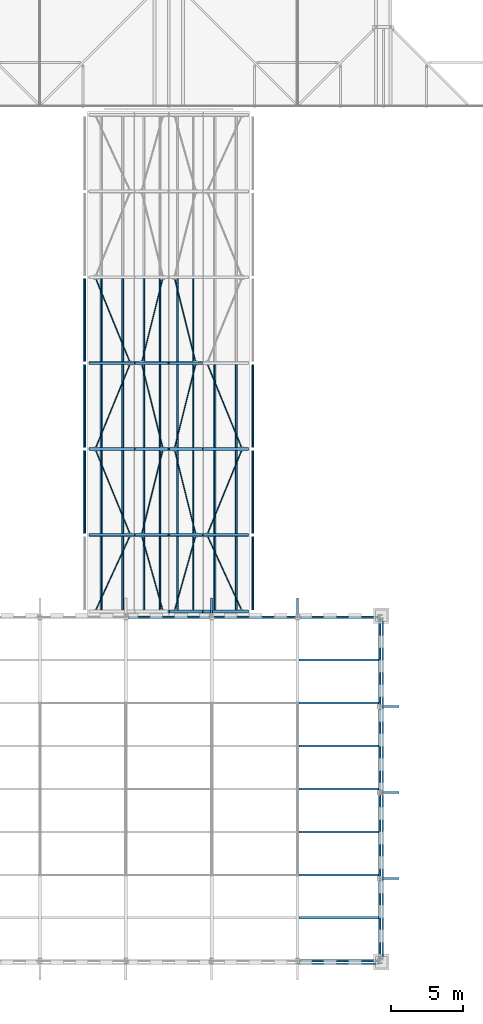
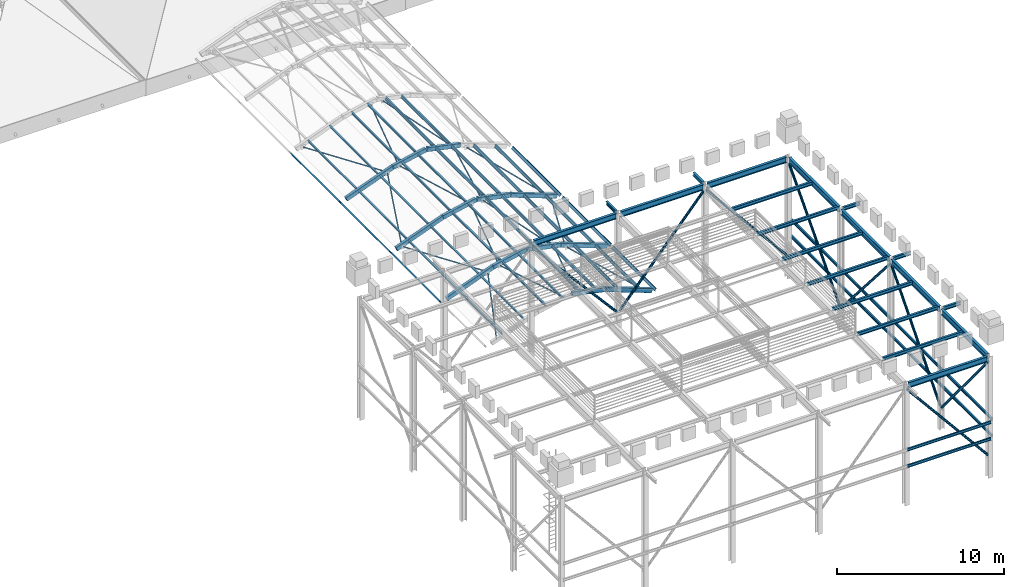
# One storey, part 19 of 57: 59 members, 43 beams.
"""IFC4 building model written with IfcOpenShell, lengths in metres."""

from ifc_helpers import new_model, si_unit, direction, frame, origin, origin_2d, place, context, subcontext, project, spatial, hollow_rectangle, hollow_circle, i_section, extrude, material, material_profile, profile_set, type_object, element, save


model = new_model("IFC4")

# Units and contexts
model_context = context("Model", 3, precision=1e-05, world=origin(), true_north=direction((0.0, 1.0)))
body_context = subcontext(model_context, "Body", "Model", "MODEL_VIEW")
ifc_project = project(units=[si_unit("LENGTHUNIT", "METRE"), si_unit("AREAUNIT", "SQUARE_METRE"), si_unit("VOLUMEUNIT", "CUBIC_METRE"), si_unit("PLANEANGLEUNIT", "RADIAN"), si_unit("MASSUNIT", "GRAM", prefix="KILO")], contexts=[model_context])

# Site, building, storey
site_placement = place(None, origin())
site = spatial("IfcSite", under=ifc_project, at=site_placement, CompositionType="ELEMENT")
building_placement = place(site_placement, origin())
building = spatial("IfcBuilding", under=site, at=building_placement, Name="Saffron Lane Theatres", CompositionType="ELEMENT")
storey_placement = place(building_placement, frame((0.0, 0.0, 28.0)))
storey = spatial("IfcBuildingStorey", under=building, at=storey_placement, Name="Upper Roof", CompositionType="ELEMENT", Elevation=28.0)

# Beams
ifc_material_1 = material(Name="Steel Grade 350", Category="steel")
ifc_material_profile_1 = material_profile(ifc_material_1, i_section(OverallWidth=0.177978515625, OverallDepth=0.406005859375, WebThickness=0.0078125, FlangeThickness=0.0126953125, FilletRadius=0.010986328125, at=origin_2d()))
ifc_profile_set_1 = profile_set([ifc_material_profile_1], Name="Steel Grade 350")
beam_type_1 = type_object("IfcBeamType", Name="ST-ROOF GIRDER 410UB59.7", PredefinedType="BEAM", material=ifc_profile_set_1)
beam_1_placement = place(storey_placement, frame((42.155517578125, 30.25, 8.64697265625), z_axis=(1.0, 0.0, 0.0), x_axis=(0.0, 1.0, 0.0)))
element("IfcBeam", 1, at=beam_1_placement, inside=storey, type_object=beam_type_1, Name="TR5", PredefinedType="BEAM", context=body_context, shape_type="SweptSolid", body=[
    extrude(i_section(OverallWidth=0.177978515625, OverallDepth=0.406005859375, WebThickness=0.0078125, FlangeThickness=0.0126953125, FilletRadius=0.010986328125, at=origin_2d()), origin(), (0.0, 0.0, 1.0), 5.43896484375),
])
for number, where, z_axis, x_axis, name in (
    (2, (30.155517578125, 54.25, 8.64697265625), (1.0, 0.0, 0.0), (0.0, 1.0, 0.0), "TR8"),
    (3, (36.155517578125, 54.25, 8.64697265625), (1.0, 0.0, 0.0), (0.0, 1.0, 0.0), "TR9"),
):
    element("IfcBeam", number, at=place(storey_placement, frame(where, z_axis=z_axis, x_axis=x_axis)), inside=storey, type_object=beam_type_1, Name=name, PredefinedType="BEAM", context=body_context, shape_type="SweptSolid", body=[
        extrude(i_section(OverallWidth=0.177978515625, OverallDepth=0.406005859375, WebThickness=0.0078125, FlangeThickness=0.0126953125, FilletRadius=0.010986328125, at=origin_2d()), origin(), (0.0, 0.0, 1.0), 5.68896484375),
    ])
beam_2_placement = place(storey_placement, frame((42.155517578125, 54.25, 8.64697265625), z_axis=(1.0, 0.0, 0.0), x_axis=(0.0, 1.0, 0.0)))
element("IfcBeam", 4, at=beam_2_placement, inside=storey, type_object=beam_type_1, Name="TR10", PredefinedType="BEAM", context=body_context, shape_type="SweptSolid", body=[
    extrude(i_section(OverallWidth=0.177978515625, OverallDepth=0.406005859375, WebThickness=0.0078125, FlangeThickness=0.0126953125, FilletRadius=0.010986328125, at=origin_2d()), origin(), (0.0, 0.0, 1.0), 5.43896484375),
])
beam_3_placement = place(storey_placement, frame((47.75, 30.41357421875, 8.64697265625), z_axis=(0.0, 1.0, 0.0), x_axis=(-1.0, 0.0, 0.0)))
element("IfcBeam", 5, at=beam_3_placement, inside=storey, type_object=beam_type_1, Name="TR15", PredefinedType="BEAM", context=body_context, shape_type="SweptSolid", body=[
    extrude(i_section(OverallWidth=0.177978515625, OverallDepth=0.406005859375, WebThickness=0.0078125, FlangeThickness=0.0126953125, FilletRadius=0.010986328125, at=origin_2d()), origin(), (0.0, 0.0, 1.0), 5.430908203125),
])
for number, where, z_axis, x_axis, name in (
    (6, (47.75, 36.155517578125, 8.64697265625), (0.0, 1.0, 0.0), (-1.0, 0.0, 0.0), "TR16"),
    (7, (47.75, 42.155517578125, 8.64697265625), (0.0, 1.0, 0.0), (-1.0, 0.0, 0.0), "TR17"),
):
    element("IfcBeam", number, at=place(storey_placement, frame(where, z_axis=z_axis, x_axis=x_axis)), inside=storey, type_object=beam_type_1, Name=name, PredefinedType="BEAM", context=body_context, shape_type="SweptSolid", body=[
        extrude(i_section(OverallWidth=0.177978515625, OverallDepth=0.406005859375, WebThickness=0.0078125, FlangeThickness=0.0126953125, FilletRadius=0.010986328125, at=origin_2d()), origin(), (0.0, 0.0, 1.0), 5.68896484375),
    ])
beam_4_placement = place(storey_placement, frame((47.75, 48.155517578125, 8.64697265625), z_axis=(0.0, 1.0, 0.0), x_axis=(-1.0, 0.0, 0.0)))
element("IfcBeam", 8, at=beam_4_placement, inside=storey, type_object=beam_type_1, Name="TR18", PredefinedType="BEAM", context=body_context, shape_type="SweptSolid", body=[
    extrude(i_section(OverallWidth=0.177978515625, OverallDepth=0.406005859375, WebThickness=0.0078125, FlangeThickness=0.0126953125, FilletRadius=0.010986328125, at=origin_2d()), origin(), (0.0, 0.0, 1.0), 5.930908203125),
])
ifc_material_2 = material(Name="Steel Grade 350", Category="steel")
ifc_material_profile_2 = material_profile(ifc_material_2, i_section(OverallWidth=0.14599609375, OverallDepth=0.251953125, WebThickness=0.006103515625, FlangeThickness=0.008544921875, FilletRadius=0.011962890625, at=origin_2d()))
ifc_profile_set_2 = profile_set([ifc_material_profile_2], Name="Steel Grade 350")
beam_type_2 = type_object("IfcBeamType", Name="ST-ROOF JOIST 250UB31.4", PredefinedType="JOIST", material=ifc_profile_set_2)
for number, where, z_axis, x_axis, name in (
    (9, (42.114013671875, 33.25, 8.72412109375), (1.0, 0.0, 0.0), (0.0, 1.0, 0.0), "TT5"),
    (10, (42.114013671875, 36.25, 8.72412109375), (1.0, 0.0, 0.0), (0.0, 1.0, 0.0), "TT10"),
    (11, (42.114013671875, 39.25, 8.72412109375), (1.0, 0.0, 0.0), (0.0, 1.0, 0.0), "TT15"),
    (12, (42.114013671875, 42.25, 8.72412109375), (1.0, 0.0, 0.0), (0.0, 1.0, 0.0), "TT20"),
    (13, (42.114013671875, 45.25, 8.72412109375), (1.0, 0.0, 0.0), (0.0, 1.0, 0.0), "TT25"),
    (14, (42.114013671875, 48.25, 8.72412109375), (1.0, 0.0, 0.0), (0.0, 1.0, 0.0), "TT30"),
    (15, (42.114013671875, 51.25, 8.72412109375), (1.0, 0.0, 0.0), (0.0, 1.0, 0.0), "TT35"),
):
    element("IfcBeam", number, at=place(storey_placement, frame(where, z_axis=z_axis, x_axis=x_axis)), inside=storey, type_object=beam_type_2, Name=name, PredefinedType="JOIST", context=body_context, shape_type="SweptSolid", body=[
        extrude(i_section(OverallWidth=0.14599609375, OverallDepth=0.251953125, WebThickness=0.006103515625, FlangeThickness=0.008544921875, FilletRadius=0.011962890625, at=origin_2d()), origin(), (0.0, 0.0, 1.0), 5.546875),
    ])
for number, where, z_axis, x_axis, name in (
    (16, (36.0, 54.41357421875, 8.72412109375), (0.0, 1.0, 0.0), (-1.0, 0.0, 0.0), "TE6"),
    (17, (42.0, 54.41357421875, 8.72412109375), (0.0, 1.0, 0.0), (-1.0, 0.0, 0.0), "TE8"),
    (18, (47.91357421875, 36.0, 8.72412109375), (1.0, 0.0, 0.0), (0.0, 1.0, 0.0), "TE10"),
    (19, (47.91357421875, 42.0, 8.72412109375), (1.0, 0.0, 0.0), (0.0, 1.0, 0.0), "TE12"),
    (20, (47.91357421875, 48.0, 8.72412109375), (1.0, 0.0, 0.0), (0.0, 1.0, 0.0), "TE14"),
):
    element("IfcBeam", number, at=place(storey_placement, frame(where, z_axis=z_axis, x_axis=x_axis)), inside=storey, type_object=beam_type_2, Name=name, PredefinedType="JOIST", context=body_context, shape_type="SweptSolid", body=[
        extrude(i_section(OverallWidth=0.14599609375, OverallDepth=0.251953125, WebThickness=0.006103515625, FlangeThickness=0.008544921875, FilletRadius=0.011962890625, at=origin_2d()), origin(), (0.0, 0.0, 1.0), 1.1865234375),
    ])

# Members
ifc_material_3 = material(Name="Steel Grade 350", Category="steel")
ifc_material_profile_3 = material_profile(ifc_material_3, hollow_circle(Radius=0.084228515625, WallThickness=0.00634765625, at=origin_2d()))
ifc_profile_set_3 = profile_set([ifc_material_profile_3], Name="Steel Grade 350")
member_type_1 = type_object("IfcMemberType", Name="ST-TOWER BRACE HI 168.3x6.4 CHS", PredefinedType="BRACE", material=ifc_profile_set_3)
member_1_placement = place(storey_placement, frame((47.6572265625, 30.25, 1.61181640625), z_axis=(-0.637764692464, 0.0, 0.770231262055), x_axis=(0.0, -1.0, 0.0)))
element("IfcMember", 21, at=member_1_placement, inside=storey, type_object=member_type_1, Name="TB10", PredefinedType="BRACE", context=body_context, shape_type="SweptSolid", body=[
    extrude(hollow_circle(Radius=0.084228515625, WallThickness=0.00634765625, at=origin_2d()), origin(), (0.0, 0.0, 1.0), 8.724853515625),
])
for number, where, z_axis, x_axis, name in (
    (22, (35.908447265625, 54.25, 1.60595703125), (-0.653796315822, 0.0, 0.756670587123), (0.0, -1.0, 0.0), "TB16"),
    (23, (36.091552734375, 54.25, 1.60595703125), (0.653796315822, 0.0, 0.756670587123), (0.0, 1.0, 0.0), "TB18"),
):
    element("IfcMember", number, at=place(storey_placement, frame(where, z_axis=z_axis, x_axis=x_axis)), inside=storey, type_object=member_type_1, Name=name, PredefinedType="BRACE", context=body_context, shape_type="SweptSolid", body=[
        extrude(hollow_circle(Radius=0.084228515625, WallThickness=0.00634765625, at=origin_2d()), origin(), (0.0, 0.0, 1.0), 8.897216796875),
    ])
for number, where, z_axis, x_axis, name in (
    (24, (47.6572265625, 54.25, 1.61181640625), (-0.637764692464, 0.0, 0.770231262055), (0.0, -1.0, 0.0), "TB20"),
    (25, (47.75, 35.9072265625, 1.61181640625), (0.0, -0.637764692464, 0.770231262055), (1.0, 0.0, 0.0), "TB30"),
):
    element("IfcMember", number, at=place(storey_placement, frame(where, z_axis=z_axis, x_axis=x_axis)), inside=storey, type_object=member_type_1, Name=name, PredefinedType="BRACE", context=body_context, shape_type="SweptSolid", body=[
        extrude(hollow_circle(Radius=0.084228515625, WallThickness=0.00634765625, at=origin_2d()), origin(), (0.0, 0.0, 1.0), 8.724853515625),
    ])
for number, where, z_axis, x_axis, name in (
    (26, (47.75, 36.091552734375, 1.60595703125), (0.0, 0.653796315822, 0.756670587123), (-1.0, 0.0, 0.0), "TB32"),
    (27, (47.75, 47.908447265625, 1.60595703125), (0.0, -0.653796315822, 0.756670587123), (1.0, 0.0, 0.0), "TB34"),
):
    element("IfcMember", number, at=place(storey_placement, frame(where, z_axis=z_axis, x_axis=x_axis)), inside=storey, type_object=member_type_1, Name=name, PredefinedType="BRACE", context=body_context, shape_type="SweptSolid", body=[
        extrude(hollow_circle(Radius=0.084228515625, WallThickness=0.00634765625, at=origin_2d()), origin(), (0.0, 0.0, 1.0), 8.897216796875),
    ])
member_2_placement = place(storey_placement, frame((47.75, 48.09033203125, 1.600341796875), z_axis=(0.0, 0.668994466421, 0.743267383852), x_axis=(-1.0, 0.0, 0.0)))
element("IfcMember", 28, at=member_2_placement, inside=storey, type_object=member_type_1, Name="TB36", PredefinedType="BRACE", context=body_context, shape_type="SweptSolid", body=[
    extrude(hollow_circle(Radius=0.084228515625, WallThickness=0.00634765625, at=origin_2d()), origin(), (0.0, 0.0, 1.0), 9.072265625),
])

# Beams
ifc_material_4 = material(Name="Steel Grade 350", Category="steel")
ifc_material_profile_4 = material_profile(ifc_material_4, i_section(OverallWidth=0.09912109375, OverallDepth=0.197998046875, WebThickness=0.00439453125, FlangeThickness=0.007080078125, FilletRadius=0.010986328125, at=origin_2d()))
ifc_profile_set_4 = profile_set([ifc_material_profile_4], Name="Steel Grade 350")
beam_type_3 = type_object("IfcBeamType", Name="ST-TOWER GIRT 200UB18.2", PredefinedType="BEAM", material=ifc_profile_set_4)
for number, where, z_axis, x_axis, name in (
    (29, (42.0, 30.037109375, 2.90087890625), (1.0, 0.0, 0.0), (0.0, 1.0, 0.0), "TX20"),
    (30, (42.0, 30.037109375, 4.10107421875), (1.0, 0.0, 0.0), (0.0, 1.0, 0.0), "TX25"),
    (31, (47.962890625, 30.25, 2.90087890625), (0.0, 1.0, 0.0), (-1.0, 0.0, 0.0), "TX58"),
):
    element("IfcBeam", number, at=place(storey_placement, frame(where, z_axis=z_axis, x_axis=x_axis)), inside=storey, type_object=beam_type_3, Name=name, PredefinedType="BEAM", context=body_context, shape_type="SweptSolid", body=[
        extrude(i_section(OverallWidth=0.09912109375, OverallDepth=0.197998046875, WebThickness=0.00439453125, FlangeThickness=0.007080078125, FilletRadius=0.010986328125, at=origin_2d()), origin(), (0.0, 0.0, 1.0), 5.75),
    ])
for number, where, z_axis, x_axis, name in (
    (32, (47.962890625, 36.0, 2.90087890625), (0.0, 1.0, 0.0), (-1.0, 0.0, 0.0), "TX59"),
    (33, (47.962890625, 42.0, 2.90087890625), (0.0, 1.0, 0.0), (-1.0, 0.0, 0.0), "TX60"),
):
    element("IfcBeam", number, at=place(storey_placement, frame(where, z_axis=z_axis, x_axis=x_axis)), inside=storey, type_object=beam_type_3, Name=name, PredefinedType="BEAM", context=body_context, shape_type="SweptSolid", body=[
        extrude(i_section(OverallWidth=0.09912109375, OverallDepth=0.197998046875, WebThickness=0.00439453125, FlangeThickness=0.007080078125, FilletRadius=0.010986328125, at=origin_2d()), origin(), (0.0, 0.0, 1.0), 6.0),
    ])
beam_5_placement = place(storey_placement, frame((47.962890625, 48.0, 2.90087890625), z_axis=(0.0, 1.0, 0.0), x_axis=(-1.0, 0.0, 0.0)))
element("IfcBeam", 34, at=beam_5_placement, inside=storey, type_object=beam_type_3, Name="TX61", PredefinedType="BEAM", context=body_context, shape_type="SweptSolid", body=[
    extrude(i_section(OverallWidth=0.09912109375, OverallDepth=0.197998046875, WebThickness=0.00439453125, FlangeThickness=0.007080078125, FilletRadius=0.010986328125, at=origin_2d()), origin(), (0.0, 0.0, 1.0), 6.25),
])
beam_6_placement = place(storey_placement, frame((47.962890625, 30.25, 4.10107421875), z_axis=(0.0, 1.0, 0.0), x_axis=(-1.0, 0.0, 0.0)))
element("IfcBeam", 35, at=beam_6_placement, inside=storey, type_object=beam_type_3, Name="TX62", PredefinedType="BEAM", context=body_context, shape_type="SweptSolid", body=[
    extrude(i_section(OverallWidth=0.09912109375, OverallDepth=0.197998046875, WebThickness=0.00439453125, FlangeThickness=0.007080078125, FilletRadius=0.010986328125, at=origin_2d()), origin(), (0.0, 0.0, 1.0), 5.75),
])
for number, where, z_axis, x_axis, name in (
    (36, (47.962890625, 36.0, 4.10107421875), (0.0, 1.0, 0.0), (-1.0, 0.0, 0.0), "TX63"),
    (37, (47.962890625, 42.0, 4.10107421875), (0.0, 1.0, 0.0), (-1.0, 0.0, 0.0), "TX64"),
):
    element("IfcBeam", number, at=place(storey_placement, frame(where, z_axis=z_axis, x_axis=x_axis)), inside=storey, type_object=beam_type_3, Name=name, PredefinedType="BEAM", context=body_context, shape_type="SweptSolid", body=[
        extrude(i_section(OverallWidth=0.09912109375, OverallDepth=0.197998046875, WebThickness=0.00439453125, FlangeThickness=0.007080078125, FilletRadius=0.010986328125, at=origin_2d()), origin(), (0.0, 0.0, 1.0), 6.0),
    ])
beam_7_placement = place(storey_placement, frame((47.962890625, 48.0, 4.10107421875), z_axis=(0.0, 1.0, 0.0), x_axis=(-1.0, 0.0, 0.0)))
element("IfcBeam", 38, at=beam_7_placement, inside=storey, type_object=beam_type_3, Name="TX65", PredefinedType="BEAM", context=body_context, shape_type="SweptSolid", body=[
    extrude(i_section(OverallWidth=0.09912109375, OverallDepth=0.197998046875, WebThickness=0.00439453125, FlangeThickness=0.007080078125, FilletRadius=0.010986328125, at=origin_2d()), origin(), (0.0, 0.0, 1.0), 6.25),
])

# Members
ifc_material_5 = material(Name="Steel Grade 350", Category="steel")
ifc_material_profile_5 = material_profile(ifc_material_5, hollow_circle(Radius=0.04443359375, WallThickness=0.005859375, at=origin_2d()))
ifc_profile_set_5 = profile_set([ifc_material_profile_5], Name="Steel Grade 350")
member_type_2 = type_object("IfcMemberType", Name="ST-VAULT BRACE 88.9x5.9 CHS", PredefinedType="BRACE", material=ifc_profile_set_5)
member_3_placement = place(storey_placement, frame((27.92041015625, 54.779541015625, 2.0986328125), z_axis=(0.413401929788, 0.89738257755, 0.154283356058), x_axis=(-0.908257469042, 0.418411722982, 0.0)))
element("IfcMember", 39, at=member_3_placement, inside=storey, type_object=member_type_2, Name="VB3", PredefinedType="BRACE", context=body_context, shape_type="SweptSolid", body=[
    extrude(hollow_circle(Radius=0.04443359375, WallThickness=0.005859375, at=origin_2d()), origin(), (0.0, 0.0, 1.0), 5.6728515625),
])
for number, where, z_axis, x_axis, name in (
    (40, (31.13330078125, 59.877685546875, 3.227783203125), (0.271245751069, -0.960753920454, 0.058117526271), (0.962380586073, 0.271705000965, 0.0), "VB4"),
    (41, (33.42529296875, 54.772216796875, 3.53662109375), (0.271245751069, 0.960753920454, -0.058117526271), (-0.962380586073, 0.271705000965, 0.0), "VB5"),
):
    element("IfcMember", number, at=place(storey_placement, frame(where, z_axis=z_axis, x_axis=x_axis)), inside=storey, type_object=member_type_2, Name=name, PredefinedType="BRACE", context=body_context, shape_type="SweptSolid", body=[
        extrude(hollow_circle(Radius=0.04443359375, WallThickness=0.005859375, at=origin_2d()), origin(), (0.0, 0.0, 1.0), 5.31396484375),
    ])
member_4_placement = place(storey_placement, frame((35.734375, 59.870361328125, 2.973876953125), z_axis=(0.413401929788, -0.89738257755, -0.154283356058), x_axis=(0.908257469042, 0.418411722982, 0.0)))
element("IfcMember", 42, at=member_4_placement, inside=storey, type_object=member_type_2, Name="VB6", PredefinedType="BRACE", context=body_context, shape_type="SweptSolid", body=[
    extrude(hollow_circle(Radius=0.04443359375, WallThickness=0.005859375, at=origin_2d()), origin(), (0.0, 0.0, 1.0), 5.6728515625),
])
member_5_placement = place(storey_placement, frame((27.918212890625, 65.872314453125, 2.097900390625), z_axis=(0.374845275862, -0.916470214155, 0.139904845272), x_axis=(0.925573270719, 0.378568514976, 0.0)))
element("IfcMember", 43, at=member_5_placement, inside=storey, type_object=member_type_2, Name="VB11", PredefinedType="BRACE", context=body_context, shape_type="SweptSolid", body=[
    extrude(hollow_circle(Radius=0.04443359375, WallThickness=0.005859375, at=origin_2d()), origin(), (0.0, 0.0, 1.0), 6.268310546875),
])
for number, where, z_axis, x_axis, name in (
    (44, (31.132080078125, 60.12109375, 3.2275390625), (0.242864108267, 0.968663475285, 0.052039375135), (-0.969977762415, 0.243193627424, 0.0), "VB12"),
    (45, (33.42431640625, 65.87890625, 3.536865234375), (0.242864108267, -0.968663475285, -0.052039375135), (0.969977762415, 0.243193627424, 0.0), "VB13"),
):
    element("IfcMember", number, at=place(storey_placement, frame(where, z_axis=z_axis, x_axis=x_axis)), inside=storey, type_object=member_type_2, Name=name, PredefinedType="BRACE", context=body_context, shape_type="SweptSolid", body=[
        extrude(hollow_circle(Radius=0.04443359375, WallThickness=0.005859375, at=origin_2d()), origin(), (0.0, 0.0, 1.0), 5.944091796875),
    ])
for number, where, z_axis, x_axis, name in (
    (46, (35.732177734375, 60.127685546875, 2.974853515625), (0.374845275862, 0.916470214155, -0.139904845272), (-0.925573270719, 0.378568514976, 0.0), "VB14"),
    (47, (27.918212890625, 66.127685546875, 2.097900390625), (0.374845275862, 0.916470214155, 0.139904845272), (-0.925573270719, 0.378568514976, 0.0), "VB19"),
):
    element("IfcMember", number, at=place(storey_placement, frame(where, z_axis=z_axis, x_axis=x_axis)), inside=storey, type_object=member_type_2, Name=name, PredefinedType="BRACE", context=body_context, shape_type="SweptSolid", body=[
        extrude(hollow_circle(Radius=0.04443359375, WallThickness=0.005859375, at=origin_2d()), origin(), (0.0, 0.0, 1.0), 6.268310546875),
    ])
for number, where, z_axis, x_axis, name in (
    (48, (31.132080078125, 71.87890625, 3.2275390625), (0.242864108267, -0.968663475285, 0.052039375135), (0.969977762415, 0.243193627424, 0.0), "VB20"),
    (49, (33.42431640625, 66.12109375, 3.536865234375), (0.242864108267, 0.968663475285, -0.052039375135), (-0.969977762415, 0.243193627424, 0.0), "VB21"),
):
    element("IfcMember", number, at=place(storey_placement, frame(where, z_axis=z_axis, x_axis=x_axis)), inside=storey, type_object=member_type_2, Name=name, PredefinedType="BRACE", context=body_context, shape_type="SweptSolid", body=[
        extrude(hollow_circle(Radius=0.04443359375, WallThickness=0.005859375, at=origin_2d()), origin(), (0.0, 0.0, 1.0), 5.944091796875),
    ])
for number, where, z_axis, x_axis, name in (
    (50, (35.732177734375, 71.872314453125, 2.974853515625), (0.374845275862, -0.916470214155, -0.139904845272), (0.925573270719, 0.378568514976, 0.0), "VB22"),
    (51, (27.918212890625, 77.872314453125, 2.097900390625), (0.374845275862, -0.916470214155, 0.139904845272), (0.925573270719, 0.378568514976, 0.0), "VB27"),
):
    element("IfcMember", number, at=place(storey_placement, frame(where, z_axis=z_axis, x_axis=x_axis)), inside=storey, type_object=member_type_2, Name=name, PredefinedType="BRACE", context=body_context, shape_type="SweptSolid", body=[
        extrude(hollow_circle(Radius=0.04443359375, WallThickness=0.005859375, at=origin_2d()), origin(), (0.0, 0.0, 1.0), 6.268310546875),
    ])
for number, where, z_axis, x_axis, name in (
    (52, (31.132080078125, 72.12109375, 3.2275390625), (0.242864108267, 0.968663475285, 0.052039375135), (-0.969977762415, 0.243193627424, 0.0), "VB28"),
    (53, (33.42431640625, 77.87890625, 3.536865234375), (0.242864108267, -0.968663475285, -0.052039375135), (0.969977762415, 0.243193627424, 0.0), "VB29"),
):
    element("IfcMember", number, at=place(storey_placement, frame(where, z_axis=z_axis, x_axis=x_axis)), inside=storey, type_object=member_type_2, Name=name, PredefinedType="BRACE", context=body_context, shape_type="SweptSolid", body=[
        extrude(hollow_circle(Radius=0.04443359375, WallThickness=0.005859375, at=origin_2d()), origin(), (0.0, 0.0, 1.0), 5.944091796875),
    ])
ifc_material_6 = material(Name="Steel Grade 350", Category="steel")
ifc_material_profile_6 = material_profile(ifc_material_6, i_section(OverallWidth=0.09912109375, OverallDepth=0.197998046875, WebThickness=0.00439453125, FlangeThickness=0.007080078125, FilletRadius=0.010986328125, at=origin_2d()))
ifc_profile_set_6 = profile_set([ifc_material_profile_6], Name="Steel Grade 350")
member_type_3 = type_object("IfcMemberType", Name="ST-VAULT PURLIN 200UB18.2", PredefinedType="PURLIN", material=ifc_profile_set_6)
for number, where, z_axis, x_axis, name in (
    (54, (28.290771484375, 54.75, 2.398193359375), (0.0, 1.0, 0.0), (0.936890221619, 0.0, 0.349623672875), "VP1C1"),
    (55, (29.78271484375, 54.75, 2.954833984375), (0.0, 1.0, 0.0), (0.936890221619, 0.0, 0.349623672875), "VP1C2"),
    (56, (31.2861328125, 54.75, 3.4150390625), (0.0, 1.0, 0.0), (0.977815891936, 0.0, 0.20946618218), "VP1D1"),
    (57, (32.379150390625, 54.75, 3.649169921875), (0.0, 1.0, 0.0), (0.977815891936, 0.0, 0.20946618218), "VP1D2"),
    (58, (33.620849609375, 54.75, 3.649169921875), (0.0, 1.0, 0.0), (0.977815891936, 0.0, -0.20946618218), "VP1E1"),
    (59, (34.7138671875, 54.75, 3.4150390625), (0.0, 1.0, 0.0), (0.977815891936, 0.0, -0.20946618218), "VP1E2"),
    (60, (36.21728515625, 54.75, 2.954833984375), (0.0, 1.0, 0.0), (0.936890221619, 0.0, -0.349623672875), "VP1F1"),
    (61, (37.709228515625, 54.75, 2.398193359375), (0.0, 1.0, 0.0), (0.936890221619, 0.0, -0.349623672875), "VP1F2"),
    (62, (38.879150390625, 54.75, 1.864990234375), (0.0, 1.0, 0.0), (0.823487130919, 0.0, -0.567334949752), "VP1G1"),
):
    element("IfcMember", number, at=place(storey_placement, frame(where, z_axis=z_axis, x_axis=x_axis)), inside=storey, type_object=member_type_3, Name=name, PredefinedType="PURLIN", context=body_context, shape_type="SweptSolid", body=[
        extrude(i_section(OverallWidth=0.09912109375, OverallDepth=0.197998046875, WebThickness=0.00439453125, FlangeThickness=0.007080078125, FilletRadius=0.010986328125, at=origin_2d()), origin(), (0.0, 0.0, 1.0), 5.14990234375),
    ])
for number, where, z_axis, x_axis, name in (
    (63, (27.120849609375, 60.10009765625, 1.864990234375), (0.0, 1.0, 0.0), (0.823487130919, 0.0, 0.567334949752), "VP2B4"),
    (64, (28.290771484375, 60.10009765625, 2.398193359375), (0.0, 1.0, 0.0), (0.936890221619, 0.0, 0.349623672875), "VP2C1"),
    (65, (29.78271484375, 60.10009765625, 2.954833984375), (0.0, 1.0, 0.0), (0.936890221619, 0.0, 0.349623672875), "VP2C2"),
    (66, (31.2861328125, 60.10009765625, 3.4150390625), (0.0, 1.0, 0.0), (0.977815891936, 0.0, 0.20946618218), "VP2D1"),
    (67, (32.379150390625, 60.10009765625, 3.649169921875), (0.0, 1.0, 0.0), (0.977815891936, 0.0, 0.20946618218), "VP2D2"),
    (68, (33.620849609375, 60.10009765625, 3.649169921875), (0.0, 1.0, 0.0), (0.977815891936, 0.0, -0.20946618218), "VP2E1"),
    (69, (34.7138671875, 60.10009765625, 3.4150390625), (0.0, 1.0, 0.0), (0.977815891936, 0.0, -0.20946618218), "VP2E2"),
    (70, (36.21728515625, 60.10009765625, 2.954833984375), (0.0, 1.0, 0.0), (0.936890221619, 0.0, -0.349623672875), "VP2F1"),
    (71, (37.709228515625, 60.10009765625, 2.398193359375), (0.0, 1.0, 0.0), (0.936890221619, 0.0, -0.349623672875), "VP2F2"),
    (72, (38.879150390625, 60.10009765625, 1.864990234375), (0.0, 1.0, 0.0), (0.823487130919, 0.0, -0.567334949752), "VP2G1"),
    (73, (27.120849609375, 66.10009765625, 1.864990234375), (0.0, 1.0, 0.0), (0.823487130919, 0.0, 0.567334949752), "VP3B4"),
    (74, (28.290771484375, 66.10009765625, 2.398193359375), (0.0, 1.0, 0.0), (0.936890221619, 0.0, 0.349623672875), "VP3C1"),
    (75, (29.78271484375, 66.10009765625, 2.954833984375), (0.0, 1.0, 0.0), (0.936890221619, 0.0, 0.349623672875), "VP3C2"),
    (76, (31.2861328125, 66.10009765625, 3.4150390625), (0.0, 1.0, 0.0), (0.977815891936, 0.0, 0.20946618218), "VP3D1"),
    (77, (32.379150390625, 66.10009765625, 3.649169921875), (0.0, 1.0, 0.0), (0.977815891936, 0.0, 0.20946618218), "VP3D2"),
    (78, (33.620849609375, 66.10009765625, 3.649169921875), (0.0, 1.0, 0.0), (0.977815891936, 0.0, -0.20946618218), "VP3E1"),
    (79, (34.7138671875, 66.10009765625, 3.4150390625), (0.0, 1.0, 0.0), (0.977815891936, 0.0, -0.20946618218), "VP3E2"),
    (80, (36.21728515625, 66.10009765625, 2.954833984375), (0.0, 1.0, 0.0), (0.936890221619, 0.0, -0.349623672875), "VP3F1"),
    (81, (37.709228515625, 66.10009765625, 2.398193359375), (0.0, 1.0, 0.0), (0.936890221619, 0.0, -0.349623672875), "VP3F2"),
    (82, (38.879150390625, 66.10009765625, 1.864990234375), (0.0, 1.0, 0.0), (0.823487130919, 0.0, -0.567334949752), "VP3G1"),
    (83, (27.120849609375, 72.10009765625, 1.864990234375), (0.0, 1.0, 0.0), (0.823487130919, 0.0, 0.567334949752), "VP4B4"),
    (84, (28.290771484375, 72.10009765625, 2.398193359375), (0.0, 1.0, 0.0), (0.936890221619, 0.0, 0.349623672875), "VP4C1"),
    (85, (29.78271484375, 72.10009765625, 2.954833984375), (0.0, 1.0, 0.0), (0.936890221619, 0.0, 0.349623672875), "VP4C2"),
    (86, (31.2861328125, 72.10009765625, 3.4150390625), (0.0, 1.0, 0.0), (0.977815891936, 0.0, 0.20946618218), "VP4D1"),
    (87, (32.379150390625, 72.10009765625, 3.649169921875), (0.0, 1.0, 0.0), (0.977815891936, 0.0, 0.20946618218), "VP4D2"),
    (88, (33.620849609375, 72.10009765625, 3.649169921875), (0.0, 1.0, 0.0), (0.977815891936, 0.0, -0.20946618218), "VP4E1"),
    (89, (34.7138671875, 72.10009765625, 3.4150390625), (0.0, 1.0, 0.0), (0.977815891936, 0.0, -0.20946618218), "VP4E2"),
):
    element("IfcMember", number, at=place(storey_placement, frame(where, z_axis=z_axis, x_axis=x_axis)), inside=storey, type_object=member_type_3, Name=name, PredefinedType="PURLIN", context=body_context, shape_type="SweptSolid", body=[
        extrude(i_section(OverallWidth=0.09912109375, OverallDepth=0.197998046875, WebThickness=0.00439453125, FlangeThickness=0.007080078125, FilletRadius=0.010986328125, at=origin_2d()), origin(), (0.0, 0.0, 1.0), 5.7998046875),
    ])

# Beams
ifc_material_7 = material(Name="Steel Grade 350", Category="steel")
ifc_material_profile_7 = material_profile(ifc_material_7, hollow_rectangle(XDim=0.199951171875, YDim=0.300048828125, WallThickness=0.010009765625, InnerFilletRadius=0.0048828125, OuterFilletRadius=0.014892578125, at=origin_2d()))
ifc_profile_set_7 = profile_set([ifc_material_profile_7], Name="Steel Grade 350")
beam_type_4 = type_object("IfcBeamType", Name="ST-VAULT RIB 300x200x10 RHS", PredefinedType="USERDEFINED", material=ifc_profile_set_7)
beam_8_placement = place(storey_placement, frame((33.031494140625, 54.64990234375, 3.723388671875), z_axis=(0.977813083547, 0.0, -0.209479291681), x_axis=(0.0, 1.0, 0.0)))
element("IfcBeam", 90, at=beam_8_placement, inside=storey, type_object=beam_type_4, Name="VR1E", ObjectType="VAULT RIB", PredefinedType="USERDEFINED", context=body_context, shape_type="SweptSolid", body=[
    extrude(hollow_rectangle(XDim=0.199951171875, YDim=0.300048828125, WallThickness=0.010009765625, InnerFilletRadius=0.0048828125, OuterFilletRadius=0.014892578125, at=origin_2d()), origin(), (0.0, 0.0, 1.0), 2.34375),
])
for number, where, z_axis, x_axis, name in (
    (91, (35.34423828125, 54.64990234375, 3.22607421875), (0.936888211564, 0.0, -0.349629059194), (0.0, 1.0, 0.0), "VR1F"),
    (92, (27.4677734375, 60.0, 2.036376953125), (0.936888211564, 0.0, 0.349629059194), (0.0, 1.0, 0.0), "VR2C"),
):
    element("IfcBeam", number, at=place(storey_placement, frame(where, z_axis=z_axis, x_axis=x_axis)), inside=storey, type_object=beam_type_4, Name=name, ObjectType="VAULT RIB", PredefinedType="USERDEFINED", context=body_context, shape_type="SweptSolid", body=[
        extrude(hollow_rectangle(XDim=0.199951171875, YDim=0.300048828125, WallThickness=0.010009765625, InnerFilletRadius=0.0048828125, OuterFilletRadius=0.014892578125, at=origin_2d()), origin(), (0.0, 0.0, 1.0), 3.40283203125),
    ])
for number, where, z_axis, x_axis, name in (
    (93, (30.6767578125, 60.0, 3.232421875), (0.977813083547, 0.0, 0.209479291681), (0.0, 1.0, 0.0), "VR2D"),
    (94, (33.031494140625, 60.0, 3.723388671875), (0.977813083547, 0.0, -0.209479291681), (0.0, 1.0, 0.0), "VR2E"),
):
    element("IfcBeam", number, at=place(storey_placement, frame(where, z_axis=z_axis, x_axis=x_axis)), inside=storey, type_object=beam_type_4, Name=name, ObjectType="VAULT RIB", PredefinedType="USERDEFINED", context=body_context, shape_type="SweptSolid", body=[
        extrude(hollow_rectangle(XDim=0.199951171875, YDim=0.300048828125, WallThickness=0.010009765625, InnerFilletRadius=0.0048828125, OuterFilletRadius=0.014892578125, at=origin_2d()), origin(), (0.0, 0.0, 1.0), 2.34375),
    ])
for number, where, z_axis, x_axis, name in (
    (95, (35.34423828125, 60.0, 3.22607421875), (0.936888211564, 0.0, -0.349629059194), (0.0, 1.0, 0.0), "VR2F"),
    (96, (27.4677734375, 66.0, 2.036376953125), (0.936888211564, 0.0, 0.349629059194), (0.0, 1.0, 0.0), "VR3C"),
):
    element("IfcBeam", number, at=place(storey_placement, frame(where, z_axis=z_axis, x_axis=x_axis)), inside=storey, type_object=beam_type_4, Name=name, ObjectType="VAULT RIB", PredefinedType="USERDEFINED", context=body_context, shape_type="SweptSolid", body=[
        extrude(hollow_rectangle(XDim=0.199951171875, YDim=0.300048828125, WallThickness=0.010009765625, InnerFilletRadius=0.0048828125, OuterFilletRadius=0.014892578125, at=origin_2d()), origin(), (0.0, 0.0, 1.0), 3.40283203125),
    ])
for number, where, z_axis, x_axis, name in (
    (97, (30.6767578125, 66.0, 3.232421875), (0.977813083547, 0.0, 0.209479291681), (0.0, 1.0, 0.0), "VR3D"),
    (98, (33.031494140625, 66.0, 3.723388671875), (0.977813083547, 0.0, -0.209479291681), (0.0, 1.0, 0.0), "VR3E"),
):
    element("IfcBeam", number, at=place(storey_placement, frame(where, z_axis=z_axis, x_axis=x_axis)), inside=storey, type_object=beam_type_4, Name=name, ObjectType="VAULT RIB", PredefinedType="USERDEFINED", context=body_context, shape_type="SweptSolid", body=[
        extrude(hollow_rectangle(XDim=0.199951171875, YDim=0.300048828125, WallThickness=0.010009765625, InnerFilletRadius=0.0048828125, OuterFilletRadius=0.014892578125, at=origin_2d()), origin(), (0.0, 0.0, 1.0), 2.34375),
    ])
for number, where, z_axis, x_axis, name in (
    (99, (35.34423828125, 66.0, 3.22607421875), (0.936888211564, 0.0, -0.349629059194), (0.0, 1.0, 0.0), "VR3F"),
    (100, (27.4677734375, 72.0, 2.036376953125), (0.936888211564, 0.0, 0.349629059194), (0.0, 1.0, 0.0), "VR4C"),
):
    element("IfcBeam", number, at=place(storey_placement, frame(where, z_axis=z_axis, x_axis=x_axis)), inside=storey, type_object=beam_type_4, Name=name, ObjectType="VAULT RIB", PredefinedType="USERDEFINED", context=body_context, shape_type="SweptSolid", body=[
        extrude(hollow_rectangle(XDim=0.199951171875, YDim=0.300048828125, WallThickness=0.010009765625, InnerFilletRadius=0.0048828125, OuterFilletRadius=0.014892578125, at=origin_2d()), origin(), (0.0, 0.0, 1.0), 3.40283203125),
    ])
for number, where, z_axis, x_axis, name in (
    (101, (30.6767578125, 72.0, 3.232421875), (0.977813083547, 0.0, 0.209479291681), (0.0, 1.0, 0.0), "VR4D"),
    (102, (33.031494140625, 72.0, 3.723388671875), (0.977813083547, 0.0, -0.209479291681), (0.0, 1.0, 0.0), "VR4E"),
):
    element("IfcBeam", number, at=place(storey_placement, frame(where, z_axis=z_axis, x_axis=x_axis)), inside=storey, type_object=beam_type_4, Name=name, ObjectType="VAULT RIB", PredefinedType="USERDEFINED", context=body_context, shape_type="SweptSolid", body=[
        extrude(hollow_rectangle(XDim=0.199951171875, YDim=0.300048828125, WallThickness=0.010009765625, InnerFilletRadius=0.0048828125, OuterFilletRadius=0.014892578125, at=origin_2d()), origin(), (0.0, 0.0, 1.0), 2.34375),
    ])

save(model, "model.ifc")
